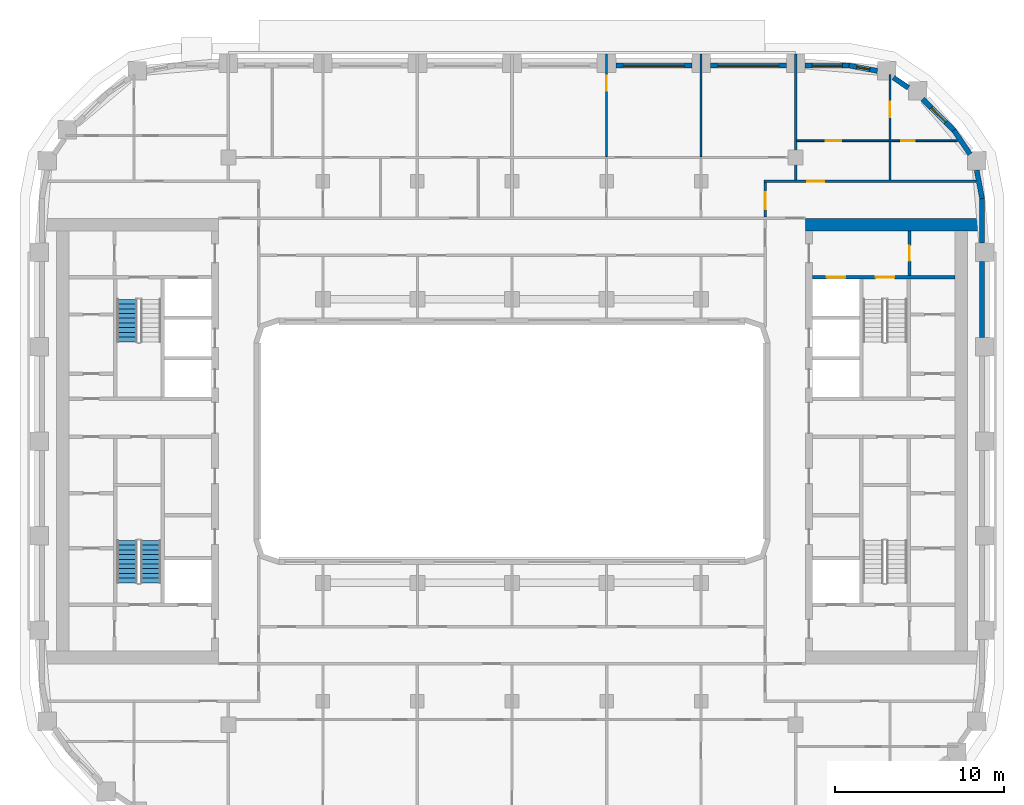
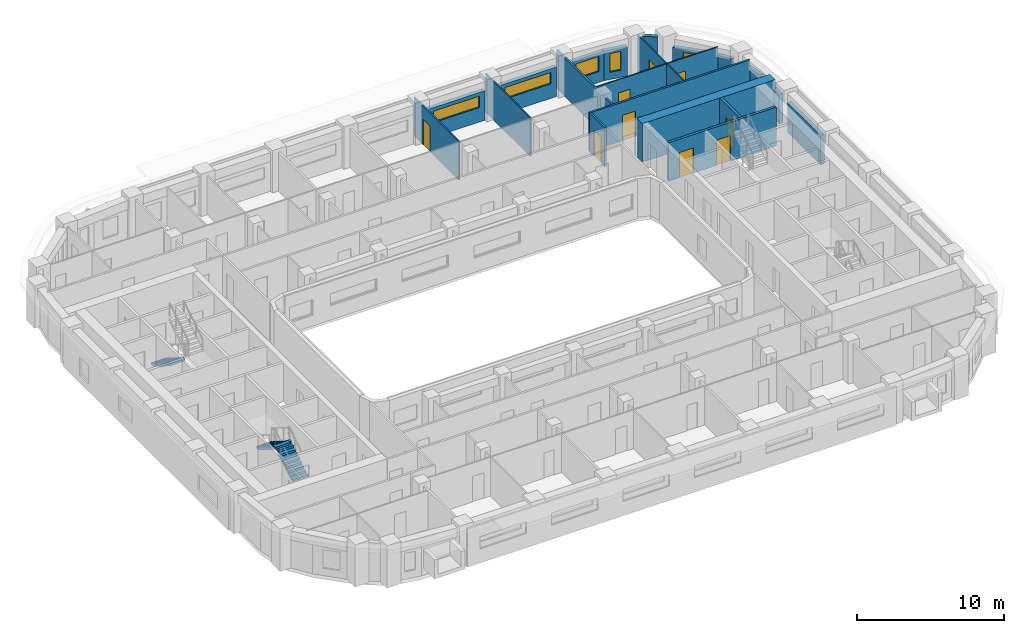
# One storey, part 9 of 22: 21 walls, 9 doors, 5 windows, 3 stair flights, 14 openings, 2 elements without a shape of their own.
"""IFC4 building model written with IfcOpenShell, lengths in metres."""

from ifc_helpers import new_model, si_unit, direction, frame, frame_2d, origin, place, context, subcontext, project, spatial, polyline, rectangle, outline, extrude, material, layer, layer_set, type_object, element, fill, aggregate, save


model = new_model("IFC4")

# Units and contexts
model_context = context("Model", 3, precision=1e-05, world=origin(), true_north=direction((0.0, 1.0)))
body_context = subcontext(model_context, "Body", "Model", "MODEL_VIEW")
ifc_project = project(units=[si_unit("LENGTHUNIT", "METRE"), si_unit("AREAUNIT", "SQUARE_METRE"), si_unit("VOLUMEUNIT", "CUBIC_METRE"), si_unit("PLANEANGLEUNIT", "RADIAN"), si_unit("MASSUNIT", "GRAM", prefix="KILO")], contexts=[model_context])

# Site, building, storey
site_placement = place(None, origin())
site = spatial("IfcSite", under=ifc_project, at=site_placement, CompositionType="ELEMENT")
building_placement = place(site_placement, origin())
building = spatial("IfcBuilding", under=site, at=building_placement, Name="Kiln Ring Residences", CompositionType="ELEMENT")
storey_placement = place(building_placement, frame((0.0, 0.0, 150.10009765625)))
storey = spatial("IfcBuildingStorey", under=building, at=storey_placement, Name="L38", CompositionType="ELEMENT", Elevation=150.10009765625)

# Wall, opening, door
ifc_material_1 = material(Name="Gypsum board on steel studs", Category="steel")
ifc_layer_1 = layer(ifc_material_1, 0.199951171875)
ifc_layer_set_1 = layer_set([ifc_layer_1], Name="CORE-PARTITION-200")
wall_type_1 = type_object("IfcWallType", Name="CORE-PARTITION-200", PredefinedType="PARTITIONING", material=ifc_layer_set_1)
wall_1_placement = place(storey_placement, frame((23.550048828125, 9.800048828125, 0.0), z_axis=(0.0, 0.0, 1.0), x_axis=(0.0, 1.0, 0.0)))
wall_1 = element("IfcWall", 1, at=wall_1_placement, inside=storey, type_object=wall_type_1, Name="Core partition east L38 4", PredefinedType="PARTITIONING", context=body_context, shape_type="SweptSolid", body=[
    extrude(rectangle(XDim=2.64990234375, YDim=0.199951171875, at=frame_2d((1.324951171875, 0.0))), origin(), (0.0, 0.0, 1.0), 3.199951171875),
])
opening_1_placement = place(wall_1_placement, frame((0.875, 0.0, 0.0)))
opening_1 = element("IfcOpeningElement", 2, at=opening_1_placement, cuts=wall_1, Name="Opening L38-CE09", PredefinedType="OPENING", context=body_context, shape_type="SweptSolid", body=[
    extrude(rectangle(XDim=0.89990234375, YDim=2.10009765625, at=frame_2d((0.449951171875, 1.050048828125))), frame((0.0, 0.10986328125, 0.0), z_axis=(0.0, -1.0, 0.0), x_axis=(1.0, 0.0, 0.0)), (0.0, 0.0, 1.0), 0.219970703125),
])
ifc_material_2 = material(Name="Steel door leaf", Category="steel")
door_type_1 = type_object("IfcDoorType", Name="CORE-DOOR-ROOM", OperationType="SINGLE_SWING_LEFT", PredefinedType="DOOR", material=ifc_material_2)
door_1_placement = place(opening_1_placement, origin())
door_1 = element("IfcDoor", 3, at=door_1_placement, inside=storey, type_object=door_type_1, Name="Fire riser room L38-CE09", OperationType="SINGLE_SWING_RIGHT", OverallHeight=2.10009765625, OverallWidth=0.89990234375, PredefinedType="DOOR", context=body_context, shape_type="SweptSolid", body=[
    extrude(rectangle(XDim=0.89990234375, YDim=2.10009765625, at=frame_2d((0.449951171875, 1.050048828125))), frame((0.0, 0.02490234375, 0.0), z_axis=(0.0, -1.0, 0.0), x_axis=(1.0, 0.0, 0.0)), (0.0, 0.0, 1.0), 0.050048828125),
])
fill(opening_1, door_1)

# Wall, openings, doors
ifc_material_3 = material(Name="Concrete C40/50", Category="concrete")
ifc_layer_2 = layer(ifc_material_3, 0.199951171875)
ifc_layer_set_2 = layer_set([ifc_layer_2], Name="CORE-WALL-RC200")
wall_type_2 = type_object("IfcWallType", Name="CORE-WALL-RC200", PredefinedType="SHEAR", material=ifc_layer_set_2)
wall_2_placement = place(storey_placement, frame((17.800048828125, 9.699951171875, 0.0), z_axis=(0.0, 0.0, 1.0), x_axis=(1.0, 0.0, 0.0)))
wall_2 = element("IfcWall", 4, at=wall_2_placement, inside=storey, type_object=wall_type_2, Name="Core wall east L38 9", PredefinedType="SHEAR", context=body_context, shape_type="SweptSolid", body=[
    extrude(rectangle(XDim=8.449951171875, YDim=0.199951171875, at=frame_2d((4.22509765625, 0.0))), origin(), (0.0, 0.0, 1.0), 3.199951171875),
])
opening_2_placement = place(wall_2_placement, frame((0.85009765625, 0.0, 0.0)))
opening_2 = element("IfcOpeningElement", 5, at=opening_2_placement, cuts=wall_2, Name="Opening L38-CE06", PredefinedType="OPENING", context=body_context, shape_type="SweptSolid", body=[
    extrude(rectangle(XDim=1.10009765625, YDim=2.10009765625, at=frame_2d((0.550048828125, 1.050048828125))), frame((0.0, 0.10986328125, 0.0), z_axis=(0.0, -1.0, 0.0), x_axis=(1.0, 0.0, 0.0)), (0.0, 0.0, 1.0), 0.219970703125),
])
opening_3_placement = place(wall_2_placement, frame((3.75, 0.0, 0.0)))
opening_3 = element("IfcOpeningElement", 6, at=opening_3_placement, cuts=wall_2, Name="Opening L38-CE11", PredefinedType="OPENING", context=body_context, shape_type="SweptSolid", body=[
    extrude(rectangle(XDim=1.10009765625, YDim=2.10009765625, at=frame_2d((0.550048828125, 1.050048828125))), frame((0.0, 0.10986328125, 0.0), z_axis=(0.0, -1.0, 0.0), x_axis=(1.0, 0.0, 0.0)), (0.0, 0.0, 1.0), 0.219970703125),
])
ifc_material_4 = material(Name="Steel door leaf", Category="steel")
door_type_2 = type_object("IfcDoorType", Name="CORE-DOOR-LD", OperationType="DOUBLE_DOOR_SLIDING", PredefinedType="DOOR", material=ifc_material_4)
door_2_placement = place(opening_2_placement, origin())
door_2 = element("IfcDoor", 7, at=door_2_placement, inside=storey, type_object=door_type_2, Name="LD E-FF L38-CE06", OperationType="DOUBLE_DOOR_SLIDING", OverallHeight=2.10009765625, OverallWidth=1.10009765625, PredefinedType="DOOR", context=body_context, shape_type="SweptSolid", body=[
    extrude(rectangle(XDim=1.10009765625, YDim=2.10009765625, at=frame_2d((0.550048828125, 1.050048828125))), frame((0.0, 0.02490234375, 0.0), z_axis=(0.0, -1.0, 0.0), x_axis=(1.0, 0.0, 0.0)), (0.0, 0.0, 1.0), 0.050048828125),
])
fill(opening_2, door_2)
ifc_material_5 = material(Name="Steel door leaf", Category="steel")
door_type_3 = type_object("IfcDoorType", Name="CORE-DOOR-STAIR", OperationType="SINGLE_SWING_LEFT", PredefinedType="DOOR", material=ifc_material_5)
door_3_placement = place(opening_3_placement, origin())
door_3 = element("IfcDoor", 8, at=door_3_placement, inside=storey, type_object=door_type_3, Name="Stair E-STN L38-CE11", OperationType="SINGLE_SWING_RIGHT", OverallHeight=2.10009765625, OverallWidth=1.10009765625, PredefinedType="DOOR", context=body_context, shape_type="SweptSolid", body=[
    extrude(rectangle(XDim=1.10009765625, YDim=2.10009765625, at=frame_2d((0.550048828125, 1.050048828125))), frame((0.0, 0.02490234375, 0.0), z_axis=(0.0, -1.0, 0.0), x_axis=(1.0, 0.0, 0.0)), (0.0, 0.0, 1.0), 0.050048828125),
])
fill(opening_3, door_3)

# Walls
ifc_material_6 = material(Name="Concrete C60/75", Category="concrete")
ifc_layer_3 = layer(ifc_material_6, 0.75)
ifc_layer_set_3 = layer_set([ifc_layer_3], Name="CORE-WALL-RC750")
wall_type_3 = type_object("IfcWallType", Name="CORE-WALL-RC750", PredefinedType="SHEAR", material=ifc_layer_set_3)
wall_3_placement = place(storey_placement, frame((17.39990234375, 12.824951171875, 0.0), z_axis=(0.0, 0.0, 1.0), x_axis=(1.0, 0.0, 0.0)))
element("IfcWall", 9, at=wall_3_placement, inside=storey, type_object=wall_type_3, Name="Core wall east L38 4", PredefinedType="SHEAR", context=body_context, shape_type="SweptSolid", body=[
    extrude(rectangle(XDim=10.400146484375, YDim=0.75, at=frame_2d((5.2001953125, 0.0))), origin(), (0.0, 0.0, 1.0), 3.199951171875),
])
ifc_material_7 = material(Name="Brick masonry, dark clay brick", Category="masonry")
ifc_layer_4 = layer(ifc_material_7, 0.300048828125)
ifc_layer_set_4 = layer_set([ifc_layer_4], Name="EW-300 BRICK WALL")
wall_type_4 = type_object("IfcWallType", Name="EW-300 BRICK WALL", PredefinedType="SOLIDWALL", material=ifc_layer_set_4)
wall_4_placement = place(storey_placement, frame((27.85009765625, 6.14990234375, 0.0), z_axis=(0.0, 0.0, 1.0), x_axis=(0.0, 1.0, 0.0)))
element("IfcWall", 10, at=wall_4_placement, inside=storey, type_object=wall_type_4, Name="Facade wall L38 21", PredefinedType="SOLIDWALL", context=body_context, shape_type="SweptSolid", body=[
    extrude(rectangle(XDim=4.5, YDim=0.300048828125, at=frame_2d((2.25, 0.0))), origin(), (0.0, 0.0, 1.0), 2.449951171875),
])
wall_5_placement = place(storey_placement, frame((27.85009765625, 11.75, 0.0), z_axis=(0.0, 0.0, 1.0), x_axis=(0.0, 1.0, 0.0)))
element("IfcWall", 11, at=wall_5_placement, inside=storey, type_object=wall_type_4, Name="Facade wall L38 22", PredefinedType="SOLIDWALL", context=body_context, shape_type="SweptSolid", body=[
    extrude(rectangle(XDim=2.64990234375, YDim=0.300048828125, at=frame_2d((1.324951171875, 0.0))), origin(), (0.0, 0.0, 1.0), 2.449951171875),
])
wall_6_placement = place(storey_placement, frame((27.8525390625, 14.371826171875, 0.0), z_axis=(0.0, 0.0, 1.0), x_axis=(-0.187302784601, 0.982302227871, 0.0)))
element("IfcWall", 12, at=wall_6_placement, inside=storey, type_object=wall_type_4, Name="Facade wall L38 23", PredefinedType="SOLIDWALL", context=body_context, shape_type="SweptSolid", body=[
    extrude(rectangle(XDim=1.706298828125, YDim=0.300048828125, at=frame_2d((0.85302734375, 0.0))), origin(), (0.0, 0.0, 1.0), 2.449951171875),
])
wall_7_placement = place(storey_placement, frame((27.137939453125, 17.001708984375, 0.0), z_axis=(0.0, 0.0, 1.0), x_axis=(-0.562075160946, 0.827086158419, 0.0)))
element("IfcWall", 13, at=wall_7_placement, inside=storey, type_object=wall_type_4, Name="Facade wall L38 24", PredefinedType="SOLIDWALL", context=body_context, shape_type="SweptSolid", body=[
    extrude(rectangle(XDim=1.7060546875, YDim=0.300048828125, at=frame_2d((0.85302734375, 0.0))), origin(), (0.0, 0.0, 1.0), 2.449951171875),
])

# Wall, opening, window
wall_8_placement = place(storey_placement, frame((26.19677734375, 18.390869140625, 0.0), z_axis=(0.0, 0.0, 1.0), x_axis=(-0.707060717099, 0.707152842274, 0.0)))
wall_8 = element("IfcWall", 14, at=wall_8_placement, inside=storey, type_object=wall_type_4, Name="Facade wall L38 25", PredefinedType="SOLIDWALL", context=body_context, shape_type="SweptSolid", body=[
    extrude(rectangle(XDim=2.650146484375, YDim=0.300048828125, at=frame_2d((1.3251953125, 0.0))), origin(), (0.0, 0.0, 1.0), 2.449951171875),
])
opening_4_placement = place(wall_8_placement, frame((0.72509765625, 0.0, 0.60009765625)))
opening_4 = element("IfcOpeningElement", 15, at=opening_4_placement, cuts=wall_8, Name="Opening W1", PredefinedType="OPENING", context=body_context, shape_type="SweptSolid", body=[
    extrude(rectangle(XDim=1.199951171875, YDim=1.550048828125, at=frame_2d((0.60009765625, 0.77490234375))), frame((0.0, 0.159912109375, 0.0), z_axis=(0.0, -1.0, 0.0), x_axis=(1.0, 0.0, 0.0)), (0.0, 0.0, 1.0), 0.320068359375),
])
ifc_material_8 = material(Name="Aluminium frame with double glazing", Category="aluminium")
window_type_1 = type_object("IfcWindowType", Name="WINDOW 1200 x 1550", PartitioningType="SINGLE_PANEL", PredefinedType="WINDOW", material=ifc_material_8)
window_1_placement = place(opening_4_placement, origin())
window_1 = element("IfcWindow", 16, at=window_1_placement, inside=storey, type_object=window_type_1, Name="Window L38 14", OverallHeight=1.550048828125, OverallWidth=1.199951171875, PartitioningType="SINGLE_PANEL", PredefinedType="WINDOW", context=body_context, shape_type="SweptSolid", body=[
    extrude(rectangle(XDim=1.199951171875, YDim=1.550048828125, at=frame_2d((0.60009765625, 0.77490234375))), frame((0.0, 0.030029296875, 0.0), z_axis=(0.0, -1.0, 0.0), x_axis=(1.0, 0.0, 0.0)), (0.0, 0.0, 1.0), 0.06005859375),
])
fill(opening_4, window_1)

# Wall
wall_9_placement = place(storey_placement, frame((23.492431640625, 20.932373046875, 0.0), z_axis=(0.0, 0.0, 1.0), x_axis=(-0.826993959827, 0.562210806023, 0.0)))
element("IfcWall", 17, at=wall_9_placement, inside=storey, type_object=wall_type_4, Name="Facade wall L38 26", PredefinedType="SOLIDWALL", context=body_context, shape_type="SweptSolid", body=[
    extrude(rectangle(XDim=1.076904296875, YDim=0.300048828125, at=frame_2d((0.53857421875, 0.0))), origin(), (0.0, 0.0, 1.0), 3.199951171875),
])

# Wall, opening, window
wall_10_placement = place(storey_placement, frame((21.647705078125, 21.93310546875, 0.0), z_axis=(0.0, 0.0, 1.0), x_axis=(-0.982297206936, 0.187329114784, 0.0)))
wall_10 = element("IfcWall", 18, at=wall_10_placement, inside=storey, type_object=wall_type_4, Name="Facade wall L38 27", PredefinedType="SOLIDWALL", context=body_context, shape_type="SweptSolid", body=[
    extrude(rectangle(XDim=1.7060546875, YDim=0.300048828125, at=frame_2d((0.85302734375, 0.0))), origin(), (0.0, 0.0, 1.0), 2.449951171875),
])
opening_5_placement = place(wall_10_placement, frame((0.453125, 0.0, 0.60009765625)))
opening_5 = element("IfcOpeningElement", 19, at=opening_5_placement, cuts=wall_10, Name="Opening W5", PredefinedType="OPENING", context=body_context, shape_type="SweptSolid", body=[
    extrude(rectangle(XDim=0.800048828125, YDim=1.550048828125, at=frame_2d((0.39990234375, 0.77490234375))), frame((0.0, 0.159912109375, 0.0), z_axis=(0.0, -1.0, 0.0), x_axis=(1.0, 0.0, 0.0)), (0.0, 0.0, 1.0), 0.320068359375),
])
ifc_material_9 = material(Name="Aluminium frame with double glazing", Category="aluminium")
window_type_2 = type_object("IfcWindowType", Name="WINDOW 800 x 1550", PartitioningType="SINGLE_PANEL", PredefinedType="WINDOW", material=ifc_material_9)
window_2_placement = place(opening_5_placement, origin())
window_2 = element("IfcWindow", 20, at=window_2_placement, inside=storey, type_object=window_type_2, Name="Window L38 15", OverallHeight=1.550048828125, OverallWidth=0.800048828125, PartitioningType="SINGLE_PANEL", PredefinedType="WINDOW", context=body_context, shape_type="SweptSolid", body=[
    extrude(rectangle(XDim=0.800048828125, YDim=1.550048828125, at=frame_2d((0.39990234375, 0.77490234375))), frame((0.0, 0.030029296875, 0.0), z_axis=(0.0, -1.0, 0.0), x_axis=(1.0, 0.0, 0.0)), (0.0, 0.0, 1.0), 0.06005859375),
])
fill(opening_5, window_2)

wall_11_placement = place(storey_placement, frame((20.0, 22.25, 0.0), z_axis=(0.0, 0.0, 1.0), x_axis=(-1.0, 0.0, 0.0)))
wall_11 = element("IfcWall", 21, at=wall_11_placement, inside=storey, type_object=wall_type_4, Name="Facade wall L38 28", PredefinedType="SOLIDWALL", context=body_context, shape_type="SweptSolid", body=[
    extrude(rectangle(XDim=2.64990234375, YDim=0.300048828125, at=frame_2d((1.324951171875, 0.0))), origin(), (0.0, 0.0, 1.0), 2.449951171875),
])
opening_6_placement = place(wall_11_placement, frame((0.425048828125, 0.0, 0.89990234375)))
opening_6 = element("IfcOpeningElement", 22, at=opening_6_placement, cuts=wall_11, Name="Opening W2", PredefinedType="OPENING", context=body_context, shape_type="SweptSolid", body=[
    extrude(rectangle(XDim=1.800048828125, YDim=1.25, at=frame_2d((0.89990234375, 0.625))), frame((0.0, 0.159912109375, 0.0), z_axis=(0.0, -1.0, 0.0), x_axis=(1.0, 0.0, 0.0)), (0.0, 0.0, 1.0), 0.320068359375),
])
ifc_material_10 = material(Name="Aluminium frame with double glazing", Category="aluminium")
window_type_3 = type_object("IfcWindowType", Name="WINDOW 1800 x 1250", PartitioningType="SINGLE_PANEL", PredefinedType="WINDOW", material=ifc_material_10)
window_3_placement = place(opening_6_placement, origin())
window_3 = element("IfcWindow", 23, at=window_3_placement, inside=storey, type_object=window_type_3, Name="Window L38 16", OverallHeight=1.25, OverallWidth=1.800048828125, PartitioningType="SINGLE_PANEL", PredefinedType="WINDOW", context=body_context, shape_type="SweptSolid", body=[
    extrude(rectangle(XDim=1.800048828125, YDim=1.25, at=frame_2d((0.89990234375, 0.625))), frame((0.0, 0.030029296875, 0.0), z_axis=(0.0, -1.0, 0.0), x_axis=(1.0, 0.0, 0.0)), (0.0, 0.0, 1.0), 0.06005859375),
])
fill(opening_6, window_3)

wall_12_placement = place(storey_placement, frame((16.25, 22.25, 0.0), z_axis=(0.0, 0.0, 1.0), x_axis=(-1.0, 0.0, 0.0)))
wall_12 = element("IfcWall", 24, at=wall_12_placement, inside=storey, type_object=wall_type_4, Name="Facade wall L38 29", PredefinedType="SOLIDWALL", context=body_context, shape_type="SweptSolid", body=[
    extrude(rectangle(XDim=4.5, YDim=0.300048828125, at=frame_2d((2.25, 0.0))), origin(), (0.0, 0.0, 1.0), 2.449951171875),
])
opening_7_placement = place(wall_12_placement, frame((0.449951171875, 0.0, 1.199951171875)))
opening_7 = element("IfcOpeningElement", 25, at=opening_7_placement, cuts=wall_12, Name="Opening W4", PredefinedType="OPENING", context=body_context, shape_type="SweptSolid", body=[
    extrude(rectangle(XDim=3.60009765625, YDim=0.949951171875, at=frame_2d((1.800048828125, 0.47509765625))), frame((0.0, 0.159912109375, 0.0), z_axis=(0.0, -1.0, 0.0), x_axis=(1.0, 0.0, 0.0)), (0.0, 0.0, 1.0), 0.320068359375),
])
ifc_material_11 = material(Name="Aluminium frame with double glazing", Category="aluminium")
window_type_4 = type_object("IfcWindowType", Name="WINDOW 3600 x 950", PartitioningType="SINGLE_PANEL", PredefinedType="WINDOW", material=ifc_material_11)
window_4_placement = place(opening_7_placement, origin())
window_4 = element("IfcWindow", 26, at=window_4_placement, inside=storey, type_object=window_type_4, Name="Window L38 17", OverallHeight=0.949951171875, OverallWidth=3.60009765625, PartitioningType="SINGLE_PANEL", PredefinedType="WINDOW", context=body_context, shape_type="SweptSolid", body=[
    extrude(rectangle(XDim=3.60009765625, YDim=0.949951171875, at=frame_2d((1.800048828125, 0.47509765625))), frame((0.0, 0.030029296875, 0.0), z_axis=(0.0, -1.0, 0.0), x_axis=(1.0, 0.0, 0.0)), (0.0, 0.0, 1.0), 0.06005859375),
])
fill(opening_7, window_4)

wall_13_placement = place(storey_placement, frame((10.64990234375, 22.25, 0.0), z_axis=(0.0, 0.0, 1.0), x_axis=(-1.0, 0.0, 0.0)))
wall_13 = element("IfcWall", 27, at=wall_13_placement, inside=storey, type_object=wall_type_4, Name="Facade wall L38 30", PredefinedType="SOLIDWALL", context=body_context, shape_type="SweptSolid", body=[
    extrude(rectangle(XDim=4.5, YDim=0.300048828125, at=frame_2d((2.25, 0.0))), origin(), (0.0, 0.0, 1.0), 2.449951171875),
])
opening_8_placement = place(wall_13_placement, frame((0.449951171875, 0.0, 1.199951171875)))
opening_8 = element("IfcOpeningElement", 28, at=opening_8_placement, cuts=wall_13, Name="Opening W4", PredefinedType="OPENING", context=body_context, shape_type="SweptSolid", body=[
    extrude(rectangle(XDim=3.60009765625, YDim=0.949951171875, at=frame_2d((1.800048828125, 0.47509765625))), frame((0.0, 0.159912109375, 0.0), z_axis=(0.0, -1.0, 0.0), x_axis=(1.0, 0.0, 0.0)), (0.0, 0.0, 1.0), 0.320068359375),
])
window_5_placement = place(opening_8_placement, origin())
window_5 = element("IfcWindow", 29, at=window_5_placement, inside=storey, type_object=window_type_4, Name="Window L38 18", OverallHeight=0.949951171875, OverallWidth=3.60009765625, PartitioningType="SINGLE_PANEL", PredefinedType="WINDOW", context=body_context, shape_type="SweptSolid", body=[
    extrude(rectangle(XDim=3.60009765625, YDim=0.949951171875, at=frame_2d((1.800048828125, 0.47509765625))), frame((0.0, 0.030029296875, 0.0), z_axis=(0.0, -1.0, 0.0), x_axis=(1.0, 0.0, 0.0)), (0.0, 0.0, 1.0), 0.06005859375),
])
fill(opening_8, window_5)

# Wall, openings, doors
ifc_material_12 = material(Name="Gypsum board on steel studs", Category="steel")
ifc_layer_5 = layer(ifc_material_12, 0.10009765625)
ifc_layer_set_5 = layer_set([ifc_layer_5], Name="PARTITION-100")
wall_type_5 = type_object("IfcWallType", Name="PARTITION-100", PredefinedType="PARTITIONING", material=ifc_layer_set_5)
wall_14_placement = place(storey_placement, frame((16.875, 17.800048828125, 0.0), z_axis=(0.0, 0.0, 1.0), x_axis=(1.0, 0.0, 0.0)))
wall_14 = element("IfcWall", 30, at=wall_14_placement, inside=storey, type_object=wall_type_5, Name="Partition 012", PredefinedType="PARTITIONING", context=body_context, shape_type="SweptSolid", body=[
    extrude(rectangle(XDim=9.51904296875, YDim=0.10009765625, at=frame_2d((4.759521484375, 0.0))), origin(), (0.0, 0.0, 1.0), 3.199951171875),
])
opening_9_placement = place(wall_14_placement, frame((6.175048828125, 0.0, 0.0)))
opening_9 = element("IfcOpeningElement", 31, at=opening_9_placement, cuts=wall_14, Name="Opening L38-D031", PredefinedType="OPENING", context=body_context, shape_type="SweptSolid", body=[
    extrude(rectangle(XDim=0.800048828125, YDim=2.10009765625, at=frame_2d((0.39990234375, 1.050048828125))), frame((0.0, 0.06005859375, 0.0), z_axis=(0.0, -1.0, 0.0), x_axis=(1.0, 0.0, 0.0)), (0.0, 0.0, 1.0), 0.1201171875),
])
opening_10_placement = place(wall_14_placement, frame((1.72509765625, 0.0, 0.0)))
opening_10 = element("IfcOpeningElement", 32, at=opening_10_placement, cuts=wall_14, Name="Opening L38-D032", PredefinedType="OPENING", context=body_context, shape_type="SweptSolid", body=[
    extrude(rectangle(XDim=0.89990234375, YDim=2.10009765625, at=frame_2d((0.449951171875, 1.050048828125))), frame((0.0, 0.06005859375, 0.0), z_axis=(0.0, -1.0, 0.0), x_axis=(1.0, 0.0, 0.0)), (0.0, 0.0, 1.0), 0.1201171875),
])
ifc_material_13 = material(Name="Timber door leaf", Category="wood")
door_type_4 = type_object("IfcDoorType", Name="FLAT-DOOR-800-PL", OperationType="SINGLE_SWING_LEFT", PredefinedType="DOOR", material=ifc_material_13)
door_4_placement = place(opening_9_placement, origin())
door_4 = element("IfcDoor", 33, at=door_4_placement, inside=storey, type_object=door_type_4, Name="Door L38-D031", OperationType="SINGLE_SWING_LEFT", OverallHeight=2.10009765625, OverallWidth=0.800048828125, PredefinedType="DOOR", context=body_context, shape_type="SweptSolid", body=[
    extrude(rectangle(XDim=0.800048828125, YDim=2.10009765625, at=frame_2d((0.39990234375, 1.050048828125))), frame((0.0, 0.02490234375, 0.0), z_axis=(0.0, -1.0, 0.0), x_axis=(1.0, 0.0, 0.0)), (0.0, 0.0, 1.0), 0.050048828125),
])
fill(opening_9, door_4)
ifc_material_14 = material(Name="Timber door leaf", Category="wood")
door_type_5 = type_object("IfcDoorType", Name="FLAT-DOOR-900-PL", OperationType="SINGLE_SWING_LEFT", PredefinedType="DOOR", material=ifc_material_14)
door_5_placement = place(opening_10_placement, origin())
door_5 = element("IfcDoor", 34, at=door_5_placement, inside=storey, type_object=door_type_5, Name="Door L38-D032", OperationType="SINGLE_SWING_RIGHT", OverallHeight=2.10009765625, OverallWidth=0.89990234375, PredefinedType="DOOR", context=body_context, shape_type="SweptSolid", body=[
    extrude(rectangle(XDim=0.89990234375, YDim=2.10009765625, at=frame_2d((0.449951171875, 1.050048828125))), frame((0.0, 0.02490234375, 0.0), z_axis=(0.0, -1.0, 0.0), x_axis=(1.0, 0.0, 0.0)), (0.0, 0.0, 1.0), 0.050048828125),
])
fill(opening_10, door_5)

# Wall, opening, door
wall_15_placement = place(storey_placement, frame((5.60009765625, 16.85009765625, 0.0), z_axis=(0.0, 0.0, 1.0), x_axis=(0.0, 1.0, 0.0)))
wall_15 = element("IfcWall", 35, at=wall_15_placement, inside=storey, type_object=wall_type_5, Name="Partition 048", PredefinedType="PARTITIONING", context=body_context, shape_type="SweptSolid", body=[
    extrude(rectangle(XDim=6.079833984375, YDim=0.10009765625, at=frame_2d((3.0400390625, 0.0))), origin(), (0.0, 0.0, 1.0), 3.199951171875),
])
opening_11_placement = place(wall_15_placement, frame((3.909912109375, 0.0, 0.0)))
opening_11 = element("IfcOpeningElement", 36, at=opening_11_placement, cuts=wall_15, Name="Opening L38-D029", PredefinedType="OPENING", context=body_context, shape_type="SweptSolid", body=[
    extrude(rectangle(XDim=0.89990234375, YDim=2.10009765625, at=frame_2d((0.449951171875, 1.050048828125))), frame((0.0, 0.06005859375, 0.0), z_axis=(0.0, -1.0, 0.0), x_axis=(1.0, 0.0, 0.0)), (0.0, 0.0, 1.0), 0.1201171875),
])
door_6_placement = place(opening_11_placement, origin())
door_6 = element("IfcDoor", 37, at=door_6_placement, inside=storey, type_object=door_type_5, Name="Door L38-D029", OperationType="SINGLE_SWING_LEFT", OverallHeight=2.10009765625, OverallWidth=0.89990234375, PredefinedType="DOOR", context=body_context, shape_type="SweptSolid", body=[
    extrude(rectangle(XDim=0.89990234375, YDim=2.10009765625, at=frame_2d((0.449951171875, 1.050048828125))), frame((0.0, 0.02490234375, 0.0), z_axis=(0.0, -1.0, 0.0), x_axis=(1.0, 0.0, 0.0)), (0.0, 0.0, 1.0), 0.050048828125),
])
fill(opening_11, door_6)

# Walls
wall_16_placement = place(storey_placement, frame((11.199951171875, 16.85009765625, 0.0), z_axis=(0.0, 0.0, 1.0), x_axis=(0.0, 1.0, 0.0)))
element("IfcWall", 38, at=wall_16_placement, inside=storey, type_object=wall_type_5, Name="Partition 056", PredefinedType="PARTITIONING", context=body_context, shape_type="SweptSolid", body=[
    extrude(rectangle(XDim=6.079833984375, YDim=0.10009765625, at=frame_2d((3.0400390625, 0.0))), origin(), (0.0, 0.0, 1.0), 3.199951171875),
])
wall_17_placement = place(storey_placement, frame((22.39990234375, 15.47509765625, 0.0), z_axis=(0.0, 0.0, 1.0), x_axis=(0.0, 1.0, 0.0)))
element("IfcWall", 39, at=wall_17_placement, inside=storey, type_object=wall_type_5, Name="Partition 065", PredefinedType="PARTITIONING", context=body_context, shape_type="SweptSolid", body=[
    extrude(rectangle(XDim=2.27490234375, YDim=0.10009765625, at=frame_2d((1.137451171875, 0.0))), origin(), (0.0, 0.0, 1.0), 3.199951171875),
])

# Wall, opening, door
wall_18_placement = place(storey_placement, frame((22.39990234375, 17.85009765625, 0.0), z_axis=(0.0, 0.0, 1.0), x_axis=(0.0, 1.0, 0.0)))
wall_18 = element("IfcWall", 40, at=wall_18_placement, inside=storey, type_object=wall_type_5, Name="Partition 066", PredefinedType="PARTITIONING", context=body_context, shape_type="SweptSolid", body=[
    extrude(rectangle(XDim=3.869873046875, YDim=0.10009765625, at=frame_2d((1.93505859375, 0.0))), origin(), (0.0, 0.0, 1.0), 3.199951171875),
])
opening_12_placement = place(wall_18_placement, frame((1.35009765625, 0.0, 0.0)))
opening_12 = element("IfcOpeningElement", 41, at=opening_12_placement, cuts=wall_18, Name="Opening L38-D033", PredefinedType="OPENING", context=body_context, shape_type="SweptSolid", body=[
    extrude(rectangle(XDim=0.89990234375, YDim=2.10009765625, at=frame_2d((0.449951171875, 1.050048828125))), frame((0.0, 0.06005859375, 0.0), z_axis=(0.0, -1.0, 0.0), x_axis=(1.0, 0.0, 0.0)), (0.0, 0.0, 1.0), 0.1201171875),
])
door_7_placement = place(opening_12_placement, origin())
door_7 = element("IfcDoor", 42, at=door_7_placement, inside=storey, type_object=door_type_5, Name="Door L38-D033", OperationType="SINGLE_SWING_LEFT", OverallHeight=2.10009765625, OverallWidth=0.89990234375, PredefinedType="DOOR", context=body_context, shape_type="SweptSolid", body=[
    extrude(rectangle(XDim=0.89990234375, YDim=2.10009765625, at=frame_2d((0.449951171875, 1.050048828125))), frame((0.0, 0.02490234375, 0.0), z_axis=(0.0, -1.0, 0.0), x_axis=(1.0, 0.0, 0.0)), (0.0, 0.0, 1.0), 0.050048828125),
])
fill(opening_12, door_7)

ifc_material_15 = material(Name="Brick masonry partition", Category="masonry")
ifc_layer_6 = layer(ifc_material_15, 0.14990234375)
ifc_layer_set_6 = layer_set([ifc_layer_6], Name="PARTITION-150-ei60")
wall_type_6 = type_object("IfcWallType", Name="PARTITION-150-ei60", PredefinedType="PARTITIONING", material=ifc_layer_set_6)
wall_19_placement = place(storey_placement, frame((14.925048828125, 15.39990234375, 0.0), z_axis=(0.0, 0.0, 1.0), x_axis=(1.0, 0.0, 0.0)))
wall_19 = element("IfcWall", 43, at=wall_19_placement, inside=storey, type_object=wall_type_6, Name="Partition 010", PredefinedType="PARTITIONING", context=body_context, shape_type="SweptSolid", body=[
    extrude(rectangle(XDim=12.558837890625, YDim=0.14990234375, at=frame_2d((6.279296875, 0.0))), origin(), (0.0, 0.0, 1.0), 3.199951171875),
])
opening_13_placement = place(wall_19_placement, frame((2.574951171875, 0.0, 0.0)))
opening_13 = element("IfcOpeningElement", 44, at=opening_13_placement, cuts=wall_19, Name="Opening L38-D030", PredefinedType="OPENING", context=body_context, shape_type="SweptSolid", body=[
    extrude(rectangle(XDim=1.0, YDim=2.10009765625, at=frame_2d((0.5, 1.050048828125))), frame((0.0, 0.0849609375, 0.0), z_axis=(0.0, -1.0, 0.0), x_axis=(1.0, 0.0, 0.0)), (0.0, 0.0, 1.0), 0.169921875),
])
ifc_material_16 = material(Name="Steel faced fire door leaf", Category="steel")
door_type_6 = type_object("IfcDoorType", Name="FLAT-DOOR-1000-FR", OperationType="SINGLE_SWING_LEFT", PredefinedType="DOOR", material=ifc_material_16)
door_8_placement = place(opening_13_placement, origin())
door_8 = element("IfcDoor", 45, at=door_8_placement, inside=storey, type_object=door_type_6, Name="Door L38-D030", OperationType="SINGLE_SWING_RIGHT", OverallHeight=2.10009765625, OverallWidth=1.0, PredefinedType="DOOR", context=body_context, shape_type="SweptSolid", body=[
    extrude(rectangle(XDim=1.0, YDim=2.10009765625, at=frame_2d((0.5, 1.050048828125))), frame((0.0, 0.02490234375, 0.0), z_axis=(0.0, -1.0, 0.0), x_axis=(1.0, 0.0, 0.0)), (0.0, 0.0, 1.0), 0.050048828125),
])
fill(opening_13, door_8)

wall_20_placement = place(storey_placement, frame((15.0, 13.27490234375, 0.0), z_axis=(0.0, 0.0, 1.0), x_axis=(0.0, 1.0, 0.0)))
wall_20 = element("IfcWall", 46, at=wall_20_placement, inside=storey, type_object=wall_type_6, Name="Partition 060", PredefinedType="PARTITIONING", context=body_context, shape_type="SweptSolid", body=[
    extrude(rectangle(XDim=2.050048828125, YDim=0.14990234375, at=frame_2d((1.02490234375, 0.0))), origin(), (0.0, 0.0, 1.0), 3.199951171875),
])
opening_14_placement = place(wall_20_placement, frame((0.47607421875, 0.0, 0.0)))
opening_14 = element("IfcOpeningElement", 47, at=opening_14_placement, cuts=wall_20, Name="Opening L38-D024", PredefinedType="OPENING", context=body_context, shape_type="SweptSolid", body=[
    extrude(rectangle(XDim=1.0, YDim=2.10009765625, at=frame_2d((0.5, 1.050048828125))), frame((0.0, 0.0849609375, 0.0), z_axis=(0.0, -1.0, 0.0), x_axis=(1.0, 0.0, 0.0)), (0.0, 0.0, 1.0), 0.169921875),
])
door_9_placement = place(opening_14_placement, origin())
door_9 = element("IfcDoor", 48, at=door_9_placement, inside=storey, type_object=door_type_6, Name="Door L38-D024", OperationType="SINGLE_SWING_RIGHT", OverallHeight=2.10009765625, OverallWidth=1.0, PredefinedType="DOOR", context=body_context, shape_type="SweptSolid", body=[
    extrude(rectangle(XDim=1.0, YDim=2.10009765625, at=frame_2d((0.5, 1.050048828125))), frame((0.0, 0.02490234375, 0.0), z_axis=(0.0, -1.0, 0.0), x_axis=(1.0, 0.0, 0.0)), (0.0, 0.0, 1.0), 0.050048828125),
])
fill(opening_14, door_9)

# Wall
wall_21_placement = place(storey_placement, frame((16.800048828125, 15.47509765625, 0.0), z_axis=(0.0, 0.0, 1.0), x_axis=(0.0, 1.0, 0.0)))
element("IfcWall", 49, at=wall_21_placement, inside=storey, type_object=wall_type_6, Name="Partition 062", PredefinedType="PARTITIONING", context=body_context, shape_type="SweptSolid", body=[
    extrude(rectangle(XDim=7.454833984375, YDim=0.14990234375, at=frame_2d((3.7275390625, 0.0))), origin(), (0.0, 0.0, 1.0), 3.199951171875),
])

# Stair, stair flight
ifc_material_17 = material(Name="Concrete C40/50", Category="concrete")
stair_type = type_object("IfcStairType", Name="CORE-STAIR", PredefinedType="HALF_TURN_STAIR", material=ifc_material_17)
placement = place(storey_placement, origin())
stair_1 = element("IfcStair", 50, at=placement, inside=storey, type_object=stair_type, Name="L38 stair W-STN", PredefinedType="HALF_TURN_STAIR")
ifc_material_18 = material(Name="Concrete C40/50", Category="concrete")
stair_flight_type = type_object("IfcStairFlightType", Name="CORE-STAIR-FLIGHT", PredefinedType="STRAIGHT", material=ifc_material_18)
stair_flight_1_placement = place(storey_placement, frame((-22.800048828125, 8.39990234375, 0.0), z_axis=(0.0, 0.0, 1.0), x_axis=(0.0, -1.0, 0.0)))
stair_flight_1 = element("IfcStairFlight", 51, at=stair_flight_1_placement, type_object=stair_flight_type, Name="W-STN flight 1", NumberOfRisers=10, NumberOfTreads=9, PredefinedType="STRAIGHT", RiserHeight=0.175, TreadLength=0.28, context=body_context, shape_type="SweptSolid", body=[
    extrude(outline(polyline([(0.0, 0.0), (0.0, 0.175048828125), (0.280029296875, 0.175048828125), (0.280029296875, 0.35009765625), (0.56005859375, 0.35009765625), (0.56005859375, 0.52490234375), (0.840087890625, 0.52490234375), (0.840087890625, 0.699951171875), (1.1201171875, 0.699951171875), (1.1201171875, 0.875), (1.39990234375, 0.875), (1.39990234375, 1.050048828125), (1.679931640625, 1.050048828125), (1.679931640625, 1.22509765625), (1.9599609375, 1.22509765625), (1.9599609375, 1.39990234375), (2.239990234375, 1.39990234375), (2.239990234375, 1.574951171875), (2.52001953125, 1.574951171875), (2.52001953125, 1.75), (2.52001953125, 1.398193359375), (0.28271484375, 0.0), (0.0, 0.0)])), frame((0.0, 0.60009765625, 0.0), z_axis=(0.0, -1.0, 0.0), x_axis=(1.0, 0.0, 0.0)), (0.0, 0.0, 1.0), 1.199951171875),
])
aggregate(stair_1, [stair_flight_1])

# Stair, stair flights
stair_2 = element("IfcStair", 52, at=placement, inside=storey, type_object=stair_type, Name="L38 stair W-STS", PredefinedType="HALF_TURN_STAIR")
stair_flight_2_placement = place(storey_placement, frame((-21.39990234375, -8.39990234375, 0.0), z_axis=(0.0, 0.0, 1.0), x_axis=(0.0, 1.0, 0.0)))
stair_flight_2 = element("IfcStairFlight", 53, at=stair_flight_2_placement, type_object=stair_flight_type, Name="W-STS flight 1", NumberOfRisers=10, NumberOfTreads=9, PredefinedType="STRAIGHT", RiserHeight=0.175, TreadLength=0.28, context=body_context, shape_type="SweptSolid", body=[
    extrude(outline(polyline([(0.0, 0.0), (0.0, 0.175048828125), (0.280029296875, 0.175048828125), (0.280029296875, 0.35009765625), (0.56005859375, 0.35009765625), (0.56005859375, 0.52490234375), (0.840087890625, 0.52490234375), (0.840087890625, 0.699951171875), (1.1201171875, 0.699951171875), (1.1201171875, 0.875), (1.39990234375, 0.875), (1.39990234375, 1.050048828125), (1.679931640625, 1.050048828125), (1.679931640625, 1.22509765625), (1.9599609375, 1.22509765625), (1.9599609375, 1.39990234375), (2.239990234375, 1.39990234375), (2.239990234375, 1.574951171875), (2.52001953125, 1.574951171875), (2.52001953125, 1.75), (2.52001953125, 1.398193359375), (0.28271484375, 0.0), (0.0, 0.0)])), frame((0.0, 0.60009765625, 0.0), z_axis=(0.0, -1.0, 0.0), x_axis=(1.0, 0.0, 0.0)), (0.0, 0.0, 1.0), 1.199951171875),
])
stair_flight_3_placement = place(storey_placement, frame((-22.800048828125, -5.8798828125, 1.75), z_axis=(0.0, 0.0, 1.0), x_axis=(0.0, -1.0, 0.0)))
stair_flight_3 = element("IfcStairFlight", 54, at=stair_flight_3_placement, type_object=stair_flight_type, Name="W-STS flight 2", NumberOfRisers=10, NumberOfTreads=9, PredefinedType="STRAIGHT", RiserHeight=0.175, TreadLength=0.28, context=body_context, shape_type="SweptSolid", body=[
    extrude(outline(polyline([(0.0, 0.0), (0.0, 0.175048828125), (0.280029296875, 0.175048828125), (0.280029296875, 0.35009765625), (0.56005859375, 0.35009765625), (0.56005859375, 0.52490234375), (0.840087890625, 0.52490234375), (0.840087890625, 0.699951171875), (1.1201171875, 0.699951171875), (1.1201171875, 0.875), (1.39990234375, 0.875), (1.39990234375, 1.050048828125), (1.679931640625, 1.050048828125), (1.679931640625, 1.22509765625), (1.9599609375, 1.22509765625), (1.9599609375, 1.39990234375), (2.239990234375, 1.39990234375), (2.239990234375, 1.574951171875), (2.52001953125, 1.574951171875), (2.52001953125, 1.75), (2.52001953125, 1.398193359375), (0.28271484375, 0.0), (0.0, 0.0)])), frame((0.0, 0.60009765625, 0.0), z_axis=(0.0, -1.0, 0.0), x_axis=(1.0, 0.0, 0.0)), (0.0, 0.0, 1.0), 1.199951171875),
])
aggregate(stair_2, [stair_flight_2, stair_flight_3])

save(model, "model.ifc")
